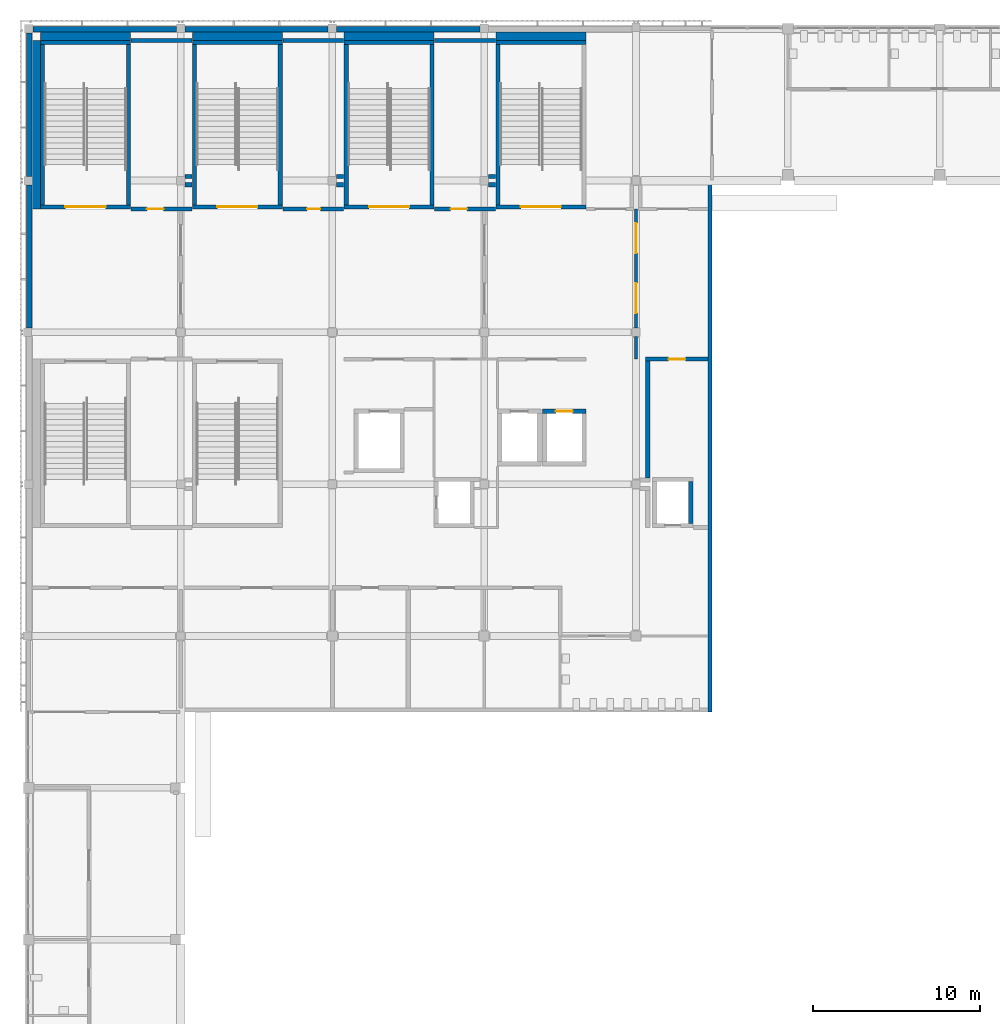
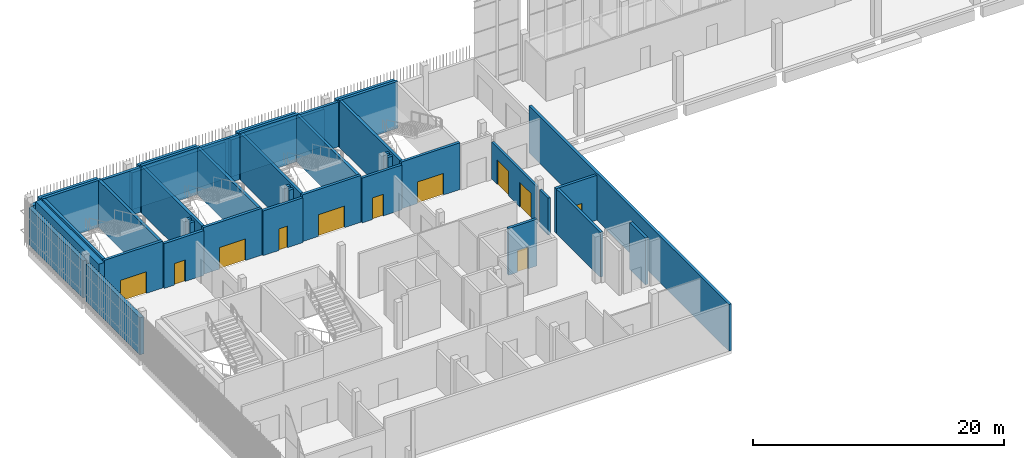
# One storey, part 49 of 91: 44 walls, 11 doors, 11 openings.
"""IFC4 building model written with IfcOpenShell, lengths in metres."""

from ifc_helpers import new_model, si_unit, direction, frame, frame_2d, origin, place, context, subcontext, project, spatial, rectangle, extrude, material, layer, layer_set, type_object, element, fill, save


model = new_model("IFC4")

# Units and contexts
model_context = context("Model", 3, precision=1e-05, world=origin(), true_north=direction((0.0, 1.0)))
body_context = subcontext(model_context, "Body", "Model", "MODEL_VIEW")
ifc_project = project(units=[si_unit("LENGTHUNIT", "METRE"), si_unit("AREAUNIT", "SQUARE_METRE"), si_unit("VOLUMEUNIT", "CUBIC_METRE"), si_unit("PLANEANGLEUNIT", "RADIAN"), si_unit("MASSUNIT", "GRAM", prefix="KILO")], contexts=[model_context])

# Site, building, storey
site_placement = place(None, origin())
site = spatial("IfcSite", under=ifc_project, at=site_placement, CompositionType="ELEMENT")
building_placement = place(site_placement, origin())
building = spatial("IfcBuilding", under=site, at=building_placement, Name="Shirokan Park Arena", CompositionType="ELEMENT")
storey_placement = place(building_placement, frame((0.0, 0.0, 24.570068359375)))
storey = spatial("IfcBuildingStorey", under=building, at=storey_placement, Name="L05", CompositionType="ELEMENT", Elevation=24.570068359375)

# Wall, opening, door
ifc_material_1 = material(Name="Plaster")
ifc_layer_1 = layer(ifc_material_1, 0.014892578125, Name="Plaster")
ifc_material_2 = material(Name="Concrete blockwork", Category="masonry")
ifc_layer_2 = layer(ifc_material_2, 0.219970703125, Name="Concrete blockwork 220")
ifc_layer_3 = layer(ifc_material_1, 0.014892578125, Name="Plaster")
ifc_layer_set_1 = layer_set([ifc_layer_1, ifc_layer_2, ifc_layer_3], Name="Plaster + Concrete blockwork 220")
wall_type_1 = type_object("IfcWallType", Name="Compartment wall 250", PredefinedType="SOLIDWALL", material=ifc_layer_set_1)
wall_1_placement = place(storey_placement, frame((6.1298828125, 98.39990234375, 0.0), z_axis=(0.0, 0.0, 1.0), x_axis=(1.0, 0.0, 0.0)))
wall_1 = element("IfcWall", 1, at=wall_1_placement, inside=storey, type_object=wall_type_1, Name="Compartment wall 250 L05", PredefinedType="SOLIDWALL", context=body_context, shape_type="SweptSolid", body=[
    extrude(rectangle(XDim=3.64013671875, YDim=0.25, at=frame_2d((1.820068359375, 0.0))), origin(), (0.0, 0.0, 1.0), 4.349853515625),
])
opening_1_placement = place(wall_1_placement, frame((0.949951171875, 0.0, 0.0)))
opening_1 = element("IfcOpeningElement", 2, at=opening_1_placement, cuts=wall_1, Name="Opening D-5036", PredefinedType="OPENING", context=body_context, shape_type="SweptSolid", body=[
    extrude(rectangle(XDim=1.0, YDim=2.10009765625, at=frame_2d((0.5, 1.050048828125))), frame((0.0, 0.135009765625, 0.0), z_axis=(0.0, -1.0, 0.0), x_axis=(1.0, 0.0, 0.0)), (0.0, 0.0, 1.0), 0.27001953125),
])
ifc_material_3 = material(Name="Timber door set, fire resisting", Category="wood")
door_type_1 = type_object("IfcDoorType", Name="Door 1000 x 2100", OperationType="SINGLE_SWING_LEFT", PredefinedType="DOOR", material=ifc_material_3)
door_1_placement = place(opening_1_placement, origin())
door_1 = element("IfcDoor", 3, at=door_1_placement, inside=storey, type_object=door_type_1, Name="Door to Refuse Room 5.40 D-5036", OperationType="SINGLE_SWING_RIGHT", OverallHeight=2.10009765625, OverallWidth=1.0, PredefinedType="DOOR", context=body_context, shape_type="SweptSolid", body=[
    extrude(rectangle(XDim=1.0, YDim=2.10009765625, at=frame_2d((0.5, 1.050048828125))), frame((0.0, 0.02490234375, 0.0), z_axis=(0.0, -1.0, 0.0), x_axis=(1.0, 0.0, 0.0)), (0.0, 0.0, 1.0), 0.050048828125),
])
fill(opening_1, door_1)

# Walls
wall_2_placement = place(storey_placement, frame((6.1298828125, 108.5, 0.0), z_axis=(0.0, 0.0, 1.0), x_axis=(1.0, 0.0, 0.0)))
element("IfcWall", 4, at=wall_2_placement, inside=storey, type_object=wall_type_1, Name="Compartment wall 250 L05", PredefinedType="SOLIDWALL", context=body_context, shape_type="SweptSolid", body=[
    extrude(rectangle(XDim=3.64013671875, YDim=0.25, at=frame_2d((1.820068359375, 0.0))), origin(), (0.0, 0.0, 1.0), 4.349853515625),
])
for number, where, z_axis, x_axis, name in (
    (5, (9.35009765625, 99.85009765625, 0.0), (0.0, 0.0, 1.0), (1.0, 0.0, 0.0), "Compartment wall 250 L05"),
    (6, (9.77001953125, 100.35009765625, 0.0), (0.0, 0.0, 1.0), (-1.0, 0.0, 0.0), "Compartment wall 250 L05"),
):
    element("IfcWall", number, at=place(storey_placement, frame(where, z_axis=z_axis, x_axis=x_axis)), inside=storey, type_object=wall_type_1, Name=name, PredefinedType="SOLIDWALL", context=body_context, shape_type="SweptSolid", body=[
        extrude(rectangle(XDim=0.419921875, YDim=0.25, at=frame_2d((0.2099609375, 0.0))), origin(), (0.0, 0.0, 1.0), 4.349853515625),
    ])

# Wall, opening, door
wall_3_placement = place(storey_placement, frame((15.22998046875, 98.39990234375, 0.0), z_axis=(0.0, 0.0, 1.0), x_axis=(1.0, 0.0, 0.0)))
wall_3 = element("IfcWall", 7, at=wall_3_placement, inside=storey, type_object=wall_type_1, Name="Compartment wall 250 L05", PredefinedType="SOLIDWALL", context=body_context, shape_type="SweptSolid", body=[
    extrude(rectangle(XDim=3.64013671875, YDim=0.25, at=frame_2d((1.820068359375, 0.0))), origin(), (0.0, 0.0, 1.0), 4.349853515625),
])
opening_2_placement = place(wall_3_placement, frame((1.449951171875, 0.0, 0.0)))
opening_2 = element("IfcOpeningElement", 8, at=opening_2_placement, cuts=wall_3, Name="Opening D-5037", PredefinedType="OPENING", context=body_context, shape_type="SweptSolid", body=[
    extrude(rectangle(XDim=0.800048828125, YDim=2.10009765625, at=frame_2d((0.39990234375, 1.050048828125))), frame((0.0, 0.135009765625, 0.0), z_axis=(0.0, -1.0, 0.0), x_axis=(1.0, 0.0, 0.0)), (0.0, 0.0, 1.0), 0.27001953125),
])
door_type_2 = type_object("IfcDoorType", Name="Cleaner store door 800 x 2100", OperationType="SINGLE_SWING_LEFT", PredefinedType="DOOR", material=ifc_material_3)
door_2_placement = place(opening_2_placement, origin())
door_2 = element("IfcDoor", 9, at=door_2_placement, inside=storey, type_object=door_type_2, Name="Door to Cleaner's Store 5.41 D-5037", OperationType="SINGLE_SWING_LEFT", OverallHeight=2.10009765625, OverallWidth=0.800048828125, PredefinedType="DOOR", context=body_context, shape_type="SweptSolid", body=[
    extrude(rectangle(XDim=0.800048828125, YDim=2.10009765625, at=frame_2d((0.39990234375, 1.050048828125))), frame((0.0, 0.02490234375, 0.0), z_axis=(0.0, -1.0, 0.0), x_axis=(1.0, 0.0, 0.0)), (0.0, 0.0, 1.0), 0.050048828125),
])
fill(opening_2, door_2)

# Walls
wall_4_placement = place(storey_placement, frame((15.22998046875, 108.5, 0.0), z_axis=(0.0, 0.0, 1.0), x_axis=(1.0, 0.0, 0.0)))
element("IfcWall", 10, at=wall_4_placement, inside=storey, type_object=wall_type_1, Name="Compartment wall 250 L05", PredefinedType="SOLIDWALL", context=body_context, shape_type="SweptSolid", body=[
    extrude(rectangle(XDim=3.64013671875, YDim=0.25, at=frame_2d((1.820068359375, 0.0))), origin(), (0.0, 0.0, 1.0), 4.349853515625),
])
for number, where, z_axis, x_axis, name in (
    (11, (18.449951171875, 99.85009765625, 0.0), (0.0, 0.0, 1.0), (1.0, 0.0, 0.0), "Compartment wall 250 L05"),
    (12, (18.8701171875, 100.35009765625, 0.0), (0.0, 0.0, 1.0), (-1.0, 0.0, 0.0), "Compartment wall 250 L05"),
):
    element("IfcWall", number, at=place(storey_placement, frame(where, z_axis=z_axis, x_axis=x_axis)), inside=storey, type_object=wall_type_1, Name=name, PredefinedType="SOLIDWALL", context=body_context, shape_type="SweptSolid", body=[
        extrude(rectangle(XDim=0.420166015625, YDim=0.25, at=frame_2d((0.2099609375, 0.0))), origin(), (0.0, 0.0, 1.0), 4.349853515625),
    ])

# Wall, opening, door
wall_5_placement = place(storey_placement, frame((24.330078125, 98.39990234375, 0.0), z_axis=(0.0, 0.0, 1.0), x_axis=(1.0, 0.0, 0.0)))
wall_5 = element("IfcWall", 13, at=wall_5_placement, inside=storey, type_object=wall_type_1, Name="Compartment wall 250 L05", PredefinedType="SOLIDWALL", context=body_context, shape_type="SweptSolid", body=[
    extrude(rectangle(XDim=3.639892578125, YDim=0.25, at=frame_2d((1.81982421875, 0.0))), origin(), (0.0, 0.0, 1.0), 4.349853515625),
])
opening_3_placement = place(wall_5_placement, frame((0.949951171875, 0.0, 0.0)))
opening_3 = element("IfcOpeningElement", 14, at=opening_3_placement, cuts=wall_5, Name="Opening D-5038", PredefinedType="OPENING", context=body_context, shape_type="SweptSolid", body=[
    extrude(rectangle(XDim=1.0, YDim=2.10009765625, at=frame_2d((0.5, 1.050048828125))), frame((0.0, 0.135009765625, 0.0), z_axis=(0.0, -1.0, 0.0), x_axis=(1.0, 0.0, 0.0)), (0.0, 0.0, 1.0), 0.27001953125),
])
door_3_placement = place(opening_3_placement, origin())
door_3 = element("IfcDoor", 15, at=door_3_placement, inside=storey, type_object=door_type_1, Name="Door to Kiosk Store 5.42 D-5038", OperationType="SINGLE_SWING_RIGHT", OverallHeight=2.10009765625, OverallWidth=1.0, PredefinedType="DOOR", context=body_context, shape_type="SweptSolid", body=[
    extrude(rectangle(XDim=1.0, YDim=2.10009765625, at=frame_2d((0.5, 1.050048828125))), frame((0.0, 0.02490234375, 0.0), z_axis=(0.0, -1.0, 0.0), x_axis=(1.0, 0.0, 0.0)), (0.0, 0.0, 1.0), 0.050048828125),
])
fill(opening_3, door_3)

# Walls
wall_6_placement = place(storey_placement, frame((24.330078125, 108.5, 0.0), z_axis=(0.0, 0.0, 1.0), x_axis=(1.0, 0.0, 0.0)))
element("IfcWall", 16, at=wall_6_placement, inside=storey, type_object=wall_type_1, Name="Compartment wall 250 L05", PredefinedType="SOLIDWALL", context=body_context, shape_type="SweptSolid", body=[
    extrude(rectangle(XDim=3.639892578125, YDim=0.25, at=frame_2d((1.81982421875, 0.0))), origin(), (0.0, 0.0, 1.0), 4.349853515625),
])
for number, where, z_axis, x_axis, name in (
    (17, (27.550048828125, 99.85009765625, 0.0), (0.0, 0.0, 1.0), (1.0, 0.0, 0.0), "Compartment wall 250 L05"),
    (18, (27.969970703125, 100.35009765625, 0.0), (0.0, 0.0, 1.0), (-1.0, 0.0, 0.0), "Compartment wall 250 L05"),
):
    element("IfcWall", number, at=place(storey_placement, frame(where, z_axis=z_axis, x_axis=x_axis)), inside=storey, type_object=wall_type_1, Name=name, PredefinedType="SOLIDWALL", context=body_context, shape_type="SweptSolid", body=[
        extrude(rectangle(XDim=0.419921875, YDim=0.25, at=frame_2d((0.2099609375, 0.0))), origin(), (0.0, 0.0, 1.0), 4.349853515625),
    ])
wall_7_placement = place(storey_placement, frame((37.10009765625, 89.27490234375, 0.0), z_axis=(0.0, 0.0, 1.0), x_axis=(0.0, -1.0, 0.0)))
element("IfcWall", 19, at=wall_7_placement, inside=storey, type_object=wall_type_1, Name="Compartment wall 250 L05", PredefinedType="SOLIDWALL", context=body_context, shape_type="SweptSolid", body=[
    extrude(rectangle(XDim=7.0, YDim=0.25, at=frame_2d((3.5, 0.0))), origin(), (0.0, 0.0, 1.0), 4.349853515625),
])

# Wall, opening, door
wall_8_placement = place(storey_placement, frame((40.699951171875, 89.39990234375, 0.0), z_axis=(0.0, 0.0, 1.0), x_axis=(-1.0, 0.0, 0.0)))
wall_8 = element("IfcWall", 20, at=wall_8_placement, inside=storey, type_object=wall_type_1, Name="Compartment wall 250 L05", PredefinedType="SOLIDWALL", context=body_context, shape_type="SweptSolid", body=[
    extrude(rectangle(XDim=3.724853515625, YDim=0.25, at=frame_2d((1.8623046875, 0.0))), origin(), (0.0, 0.0, 1.0), 4.349853515625),
])
opening_4_placement = place(wall_8_placement, frame((1.35009765625, 0.0, 0.0)))
opening_4 = element("IfcOpeningElement", 21, at=opening_4_placement, cuts=wall_8, Name="Opening D-5035", PredefinedType="OPENING", context=body_context, shape_type="SweptSolid", body=[
    extrude(rectangle(XDim=1.0, YDim=2.10009765625, at=frame_2d((0.5, 1.050048828125))), frame((0.0, 0.135009765625, 0.0), z_axis=(0.0, -1.0, 0.0), x_axis=(1.0, 0.0, 0.0)), (0.0, 0.0, 1.0), 0.27001953125),
])
door_4_placement = place(opening_4_placement, origin())
door_4 = element("IfcDoor", 22, at=door_4_placement, inside=storey, type_object=door_type_1, Name="Door to Refuse Room 5.49 D-5035", OperationType="SINGLE_SWING_RIGHT", OverallHeight=2.10009765625, OverallWidth=1.0, PredefinedType="DOOR", context=body_context, shape_type="SweptSolid", body=[
    extrude(rectangle(XDim=1.0, YDim=2.10009765625, at=frame_2d((0.5, 1.050048828125))), frame((0.0, 0.02490234375, 0.0), z_axis=(0.0, -1.0, 0.0), x_axis=(1.0, 0.0, 0.0)), (0.0, 0.0, 1.0), 0.050048828125),
])
fill(opening_4, door_4)

# Wall
ifc_material_4 = material(Name="Gypsum board")
ifc_layer_4 = layer(ifc_material_4, 0.02490234375, Name="Gypsum board, two layers")
ifc_material_5 = material(Name="Mineral wool insulation")
ifc_layer_5 = layer(ifc_material_5, 0.14990234375, Name="Mineral wool insulation")
ifc_layer_6 = layer(ifc_material_4, 0.02490234375, Name="Gypsum board, two layers")
ifc_layer_set_2 = layer_set([ifc_layer_4, ifc_layer_5, ifc_layer_6], Name="Gypsum board, two layers + Mineral wool insulation")
wall_type_2 = type_object("IfcWallType", Name="Corridor wall 200", PredefinedType="PARTITIONING", material=ifc_layer_set_2)
wall_9_placement = place(storey_placement, frame((36.39990234375, 90.75, 0.0), z_axis=(0.0, 0.0, 1.0), x_axis=(0.0, -1.0, 0.0)))
element("IfcWall", 23, at=wall_9_placement, inside=storey, type_object=wall_type_2, Name="Corridor wall 200 L05", PredefinedType="PARTITIONING", context=body_context, shape_type="SweptSolid", body=[
    extrude(rectangle(XDim=1.35009765625, YDim=0.199951171875, at=frame_2d((0.675048828125, 0.0))), origin(), (0.0, 0.0, 1.0), 3.599853515625),
])

# Wall, openings, doors
wall_10_placement = place(storey_placement, frame((36.39990234375, 98.39990234375, 0.0), z_axis=(0.0, 0.0, 1.0), x_axis=(0.0, -1.0, 0.0)))
wall_10 = element("IfcWall", 24, at=wall_10_placement, inside=storey, type_object=wall_type_2, Name="Corridor wall 200 L05", PredefinedType="PARTITIONING", context=body_context, shape_type="SweptSolid", body=[
    extrude(rectangle(XDim=7.14990234375, YDim=0.199951171875, at=frame_2d((3.574951171875, 0.0))), origin(), (0.0, 0.0, 1.0), 3.599853515625),
])
opening_5_placement = place(wall_10_placement, frame((0.85009765625, 0.0, 0.0)))
opening_5 = element("IfcOpeningElement", 25, at=opening_5_placement, cuts=wall_10, Name="Opening D-5115", PredefinedType="OPENING", context=body_context, shape_type="SweptSolid", body=[
    extrude(rectangle(XDim=1.800048828125, YDim=2.39990234375, at=frame_2d((0.89990234375, 1.199951171875))), frame((0.0, 0.10986328125, 0.0), z_axis=(0.0, -1.0, 0.0), x_axis=(1.0, 0.0, 0.0)), (0.0, 0.0, 1.0), 0.219970703125),
])
opening_6_placement = place(wall_10_placement, frame((4.449951171875, 0.0, 0.0)))
opening_6 = element("IfcOpeningElement", 26, at=opening_6_placement, cuts=wall_10, Name="Opening D-5116", PredefinedType="OPENING", context=body_context, shape_type="SweptSolid", body=[
    extrude(rectangle(XDim=1.800048828125, YDim=2.39990234375, at=frame_2d((0.89990234375, 1.199951171875))), frame((0.0, 0.10986328125, 0.0), z_axis=(0.0, -1.0, 0.0), x_axis=(1.0, 0.0, 0.0)), (0.0, 0.0, 1.0), 0.219970703125),
])
ifc_material_6 = material(Name="Glazed steel door set, fire resisting", Category="steel")
door_type_3 = type_object("IfcDoorType", Name="Lift lobby door 1800 x 2400", OperationType="DOUBLE_DOOR_SINGLE_SWING", PredefinedType="DOOR", material=ifc_material_6)
door_5_placement = place(opening_5_placement, origin())
door_5 = element("IfcDoor", 27, at=door_5_placement, inside=storey, type_object=door_type_3, Name="Door between Kiosk Court 4.5.3 and Staff Lobby 4.5.4 D-5115", OperationType="DOUBLE_DOOR_SINGLE_SWING", OverallHeight=2.39990234375, OverallWidth=1.800048828125, PredefinedType="DOOR", context=body_context, shape_type="SweptSolid", body=[
    extrude(rectangle(XDim=1.800048828125, YDim=2.39990234375, at=frame_2d((0.89990234375, 1.199951171875))), frame((0.0, 0.02490234375, 0.0), z_axis=(0.0, -1.0, 0.0), x_axis=(1.0, 0.0, 0.0)), (0.0, 0.0, 1.0), 0.050048828125),
])
fill(opening_5, door_5)
door_6_placement = place(opening_6_placement, origin())
door_6 = element("IfcDoor", 28, at=door_6_placement, inside=storey, type_object=door_type_3, Name="Door between Kiosk Court 4.5.3 and Staff Lobby 4.5.4 D-5116", OperationType="DOUBLE_DOOR_SINGLE_SWING", OverallHeight=2.39990234375, OverallWidth=1.800048828125, PredefinedType="DOOR", context=body_context, shape_type="SweptSolid", body=[
    extrude(rectangle(XDim=1.800048828125, YDim=2.39990234375, at=frame_2d((0.89990234375, 1.199951171875))), frame((0.0, 0.02490234375, 0.0), z_axis=(0.0, -1.0, 0.0), x_axis=(1.0, 0.0, 0.0)), (0.0, 0.0, 1.0), 0.050048828125),
])
fill(opening_6, door_6)

# Walls
ifc_material_7 = material(Name="Cedar cladding")
ifc_layer_7 = layer(ifc_material_7, 0.030029296875, Name="Cedar cladding")
ifc_layer_8 = layer(ifc_material_5, 0.10009765625, Name="Mineral wool insulation")
ifc_material_8 = material(Name="Concrete C35", Category="concrete")
ifc_layer_9 = layer(ifc_material_8, 0.199951171875, Name="Concrete C35")
ifc_material_9 = material(Name="Gypsum board lining")
ifc_layer_10 = layer(ifc_material_9, 0.02001953125, Name="Gypsum board lining")
ifc_layer_set_3 = layer_set([ifc_layer_7, ifc_layer_8, ifc_layer_9, ifc_layer_10], Name="Cedar cladding + Mineral wool insulation + Concrete C35 + Gypsum board lining")
wall_type_3 = type_object("IfcWallType", Name="Insulated tower wall 350", PredefinedType="SOLIDWALL", material=ifc_layer_set_3)
wall_11_placement = place(storey_placement, frame((27.050048828125, 109.175048828125, 0.0), z_axis=(0.0, 0.0, 1.0), x_axis=(-1.0, 0.0, 0.0)))
element("IfcWall", 29, at=wall_11_placement, inside=storey, type_object=wall_type_3, Name="North facade wall bay 14 L05", PredefinedType="SOLIDWALL", context=body_context, shape_type="SweptSolid", body=[
    extrude(rectangle(XDim=8.60009765625, YDim=0.35009765625, at=frame_2d((4.300048828125, 0.0))), origin(), (0.0, 0.0, 1.0), 3.599853515625),
])
wall_12_placement = place(storey_placement, frame((17.949951171875, 109.175048828125, 0.0), z_axis=(0.0, 0.0, 1.0), x_axis=(-1.0, 0.0, 0.0)))
element("IfcWall", 30, at=wall_12_placement, inside=storey, type_object=wall_type_3, Name="North facade wall bay 15 L05", PredefinedType="SOLIDWALL", context=body_context, shape_type="SweptSolid", body=[
    extrude(rectangle(XDim=8.599853515625, YDim=0.35009765625, at=frame_2d((4.2998046875, 0.0))), origin(), (0.0, 0.0, 1.0), 3.599853515625),
])
wall_13_placement = place(storey_placement, frame((8.85009765625, 109.175048828125, 0.0), z_axis=(0.0, 0.0, 1.0), x_axis=(-1.0, 0.0, 0.0)))
element("IfcWall", 31, at=wall_13_placement, inside=storey, type_object=wall_type_3, Name="North facade wall bay 16 L05", PredefinedType="SOLIDWALL", context=body_context, shape_type="SweptSolid", body=[
    extrude(rectangle(XDim=8.60009765625, YDim=0.35009765625, at=frame_2d((4.300048828125, 0.0))), origin(), (0.0, 0.0, 1.0), 3.599853515625),
])
wall_14_placement = place(storey_placement, frame((0.02490234375, 108.949951171875, 0.0), z_axis=(0.0, 0.0, 1.0), x_axis=(0.0, -1.0, 0.0)))
element("IfcWall", 32, at=wall_14_placement, inside=storey, type_object=wall_type_3, Name="West facade wall bay 1 L05", PredefinedType="SOLIDWALL", context=body_context, shape_type="SweptSolid", body=[
    extrude(rectangle(XDim=8.599853515625, YDim=0.35009765625, at=frame_2d((4.2998046875, 0.0))), origin(), (0.0, 0.0, 1.0), 3.599853515625),
])
wall_15_placement = place(storey_placement, frame((0.02490234375, 99.85009765625, 0.0), z_axis=(0.0, 0.0, 1.0), x_axis=(0.0, -1.0, 0.0)))
element("IfcWall", 33, at=wall_15_placement, inside=storey, type_object=wall_type_3, Name="West facade wall bay 2 L05", PredefinedType="SOLIDWALL", context=body_context, shape_type="SweptSolid", body=[
    extrude(rectangle(XDim=8.60009765625, YDim=0.35009765625, at=frame_2d((4.300048828125, 0.0))), origin(), (0.0, 0.0, 1.0), 3.599853515625),
])
ifc_layer_11 = layer(ifc_material_8, 0.25)
ifc_layer_set_4 = layer_set([ifc_layer_11], Name="Concrete C35 250 mm")
wall_type_4 = type_object("IfcWallType", Name="RC flank wall 250", PredefinedType="SHEAR", material=ifc_layer_set_4)
wall_16_placement = place(storey_placement, frame((40.824951171875, 68.25, 0.0), z_axis=(0.0, 0.0, 1.0), x_axis=(0.0, 1.0, 0.0)))
element("IfcWall", 34, at=wall_16_placement, inside=storey, type_object=wall_type_4, Name="Flank wall N1 L05", PredefinedType="SHEAR", context=body_context, shape_type="SweptSolid", body=[
    extrude(rectangle(XDim=31.85009765625, YDim=0.25, at=frame_2d((15.925048828125, 0.0))), origin(), (0.0, 0.0, 1.0), 4.550048828125),
])

# Wall, opening, door
ifc_material_10 = material(Name="Concrete C40/50", Category="concrete")
ifc_layer_12 = layer(ifc_material_10, 0.25)
ifc_layer_set_5 = layer_set([ifc_layer_12], Name="Concrete C40/50 250 mm")
wall_type_5 = type_object("IfcWallType", Name="RC shear wall 250", PredefinedType="SHEAR", material=ifc_layer_set_5)
wall_17_placement = place(storey_placement, frame((33.39990234375, 86.27490234375, 0.0), z_axis=(0.0, 0.0, 1.0), x_axis=(-1.0, 0.0, 0.0)))
wall_17 = element("IfcWall", 35, at=wall_17_placement, inside=storey, type_object=wall_type_5, Name="Shaft wall Passenger Lift 4.2 N L05", PredefinedType="SHEAR", context=body_context, shape_type="SweptSolid", body=[
    extrude(rectangle(XDim=2.599853515625, YDim=0.25, at=frame_2d((1.2998046875, 0.0))), origin(), (0.0, 0.0, 1.0), 4.550048828125),
])
opening_7_placement = place(wall_17_placement, frame((0.800048828125, 0.0, 0.0)))
opening_7 = element("IfcOpeningElement", 36, at=opening_7_placement, cuts=wall_17, Name="Opening LD48", PredefinedType="OPENING", context=body_context, shape_type="SweptSolid", body=[
    extrude(rectangle(XDim=1.0, YDim=2.10009765625, at=frame_2d((0.5, 1.050048828125))), frame((0.0, 0.135009765625, 0.0), z_axis=(0.0, -1.0, 0.0), x_axis=(1.0, 0.0, 0.0)), (0.0, 0.0, 1.0), 0.27001953125),
])
ifc_material_11 = material(Name="Stainless steel", Category="steel")
door_type_4 = type_object("IfcDoorType", Name="Lift landing door 1000x2100", OperationType="DOUBLE_DOOR_SLIDING", PredefinedType="DOOR", material=ifc_material_11)
door_7_placement = place(opening_7_placement, origin())
door_7 = element("IfcDoor", 37, at=door_7_placement, inside=storey, type_object=door_type_4, Name="Lift landing door Passenger Lift 4.2 L05", OperationType="DOUBLE_DOOR_SLIDING", OverallHeight=2.10009765625, OverallWidth=1.0, PredefinedType="DOOR", context=body_context, shape_type="SweptSolid", body=[
    extrude(rectangle(XDim=1.0, YDim=2.10009765625, at=frame_2d((0.5, 1.050048828125))), frame((0.0, 0.02490234375, 0.0), z_axis=(0.0, -1.0, 0.0), x_axis=(1.0, 0.0, 0.0)), (0.0, 0.0, 1.0), 0.050048828125),
])
fill(opening_7, door_7)

# Wall
wall_18_placement = place(storey_placement, frame((39.675048828125, 82.050048828125, 0.0), z_axis=(0.0, 0.0, 1.0), x_axis=(0.0, -1.0, 0.0)))
element("IfcWall", 38, at=wall_18_placement, inside=storey, type_object=wall_type_5, Name="Shaft wall Services Riser 4.1 E L05", PredefinedType="SHEAR", context=body_context, shape_type="SweptSolid", body=[
    extrude(rectangle(XDim=2.5, YDim=0.25, at=frame_2d((1.25, 0.0))), origin(), (0.0, 0.0, 1.0), 4.550048828125),
])

# Wall, opening, door
wall_19_placement = place(storey_placement, frame((6.10009765625, 98.52490234375, 0.0), z_axis=(0.0, 0.0, 1.0), x_axis=(-1.0, 0.0, 0.0)))
wall_19 = element("IfcWall", 39, at=wall_19_placement, inside=storey, type_object=wall_type_5, Name="Shaft wall Exit Stair 4.A S L05", PredefinedType="SHEAR", context=body_context, shape_type="SweptSolid", body=[
    extrude(rectangle(XDim=5.400146484375, YDim=0.25, at=frame_2d((2.7001953125, 0.0))), origin(), (0.0, 0.0, 1.0), 4.550048828125),
])
opening_8_placement = place(wall_19_placement, frame((1.5, 0.0, 0.0)))
opening_8 = element("IfcOpeningElement", 40, at=opening_8_placement, cuts=wall_19, Name="Opening D-5141", PredefinedType="OPENING", context=body_context, shape_type="SweptSolid", body=[
    extrude(rectangle(XDim=2.39990234375, YDim=2.10009765625, at=frame_2d((1.199951171875, 1.050048828125))), frame((0.0, 0.135009765625, 0.0), z_axis=(0.0, -1.0, 0.0), x_axis=(1.0, 0.0, 0.0)), (0.0, 0.0, 1.0), 0.27001953125),
])
ifc_material_12 = material(Name="Steel door set, fire resisting", Category="steel")
door_type_5 = type_object("IfcDoorType", Name="Stair door 2400 x 2100", OperationType="DOUBLE_DOOR_SINGLE_SWING", PredefinedType="DOOR", material=ifc_material_12)
door_8_placement = place(opening_8_placement, origin())
door_8 = element("IfcDoor", 41, at=door_8_placement, inside=storey, type_object=door_type_5, Name="Stair door Exit Stair 4.A D-5141", OperationType="DOUBLE_DOOR_SINGLE_SWING", OverallHeight=2.10009765625, OverallWidth=2.39990234375, PredefinedType="DOOR", context=body_context, shape_type="SweptSolid", body=[
    extrude(rectangle(XDim=2.39990234375, YDim=2.10009765625, at=frame_2d((1.199951171875, 1.050048828125))), frame((0.0, 0.02490234375, 0.0), z_axis=(0.0, -1.0, 0.0), x_axis=(1.0, 0.0, 0.0)), (0.0, 0.0, 1.0), 0.050048828125),
])
fill(opening_8, door_8)

# Walls
wall_20_placement = place(storey_placement, frame((6.10009765625, 108.375, 0.0), z_axis=(0.0, 0.0, 1.0), x_axis=(-1.0, 0.0, 0.0)))
element("IfcWall", 42, at=wall_20_placement, inside=storey, type_object=wall_type_5, Name="Shaft wall Exit Stair 4.A N L05", PredefinedType="SHEAR", context=body_context, shape_type="SweptSolid", body=[
    extrude(rectangle(XDim=5.400146484375, YDim=0.25, at=frame_2d((2.7001953125, 0.0))), origin(), (0.0, 0.0, 1.0), 4.550048828125),
])
for number, where, z_axis, x_axis, name in (
    (43, (0.824951171875, 108.25, 0.0), (0.0, 0.0, 1.0), (0.0, -1.0, 0.0), "Shaft wall Exit Stair 4.A W L05"),
    (44, (5.97509765625, 108.25, 0.0), (0.0, 0.0, 1.0), (0.0, -1.0, 0.0), "Shaft wall Exit Stair 4.A E L05"),
):
    element("IfcWall", number, at=place(storey_placement, frame(where, z_axis=z_axis, x_axis=x_axis)), inside=storey, type_object=wall_type_5, Name=name, PredefinedType="SHEAR", context=body_context, shape_type="SweptSolid", body=[
        extrude(rectangle(XDim=9.60009765625, YDim=0.25, at=frame_2d((4.800048828125, 0.0))), origin(), (0.0, 0.0, 1.0), 4.550048828125),
    ])

# Wall, opening, door
wall_21_placement = place(storey_placement, frame((15.199951171875, 98.52490234375, 0.0), z_axis=(0.0, 0.0, 1.0), x_axis=(-1.0, 0.0, 0.0)))
wall_21 = element("IfcWall", 45, at=wall_21_placement, inside=storey, type_object=wall_type_5, Name="Shaft wall Exit Stair 4.B S L05", PredefinedType="SHEAR", context=body_context, shape_type="SweptSolid", body=[
    extrude(rectangle(XDim=5.39990234375, YDim=0.25, at=frame_2d((2.699951171875, 0.0))), origin(), (0.0, 0.0, 1.0), 4.550048828125),
])
opening_9_placement = place(wall_21_placement, frame((1.5, 0.0, 0.0)))
opening_9 = element("IfcOpeningElement", 46, at=opening_9_placement, cuts=wall_21, Name="Opening D-5142", PredefinedType="OPENING", context=body_context, shape_type="SweptSolid", body=[
    extrude(rectangle(XDim=2.39990234375, YDim=2.10009765625, at=frame_2d((1.199951171875, 1.050048828125))), frame((0.0, 0.135009765625, 0.0), z_axis=(0.0, -1.0, 0.0), x_axis=(1.0, 0.0, 0.0)), (0.0, 0.0, 1.0), 0.27001953125),
])
door_9_placement = place(opening_9_placement, origin())
door_9 = element("IfcDoor", 47, at=door_9_placement, inside=storey, type_object=door_type_5, Name="Stair door Exit Stair 4.B D-5142", OperationType="DOUBLE_DOOR_SINGLE_SWING", OverallHeight=2.10009765625, OverallWidth=2.39990234375, PredefinedType="DOOR", context=body_context, shape_type="SweptSolid", body=[
    extrude(rectangle(XDim=2.39990234375, YDim=2.10009765625, at=frame_2d((1.199951171875, 1.050048828125))), frame((0.0, 0.02490234375, 0.0), z_axis=(0.0, -1.0, 0.0), x_axis=(1.0, 0.0, 0.0)), (0.0, 0.0, 1.0), 0.050048828125),
])
fill(opening_9, door_9)

# Walls
wall_22_placement = place(storey_placement, frame((15.199951171875, 108.375, 0.0), z_axis=(0.0, 0.0, 1.0), x_axis=(-1.0, 0.0, 0.0)))
element("IfcWall", 48, at=wall_22_placement, inside=storey, type_object=wall_type_5, Name="Shaft wall Exit Stair 4.B N L05", PredefinedType="SHEAR", context=body_context, shape_type="SweptSolid", body=[
    extrude(rectangle(XDim=5.39990234375, YDim=0.25, at=frame_2d((2.699951171875, 0.0))), origin(), (0.0, 0.0, 1.0), 4.550048828125),
])
for number, where, z_axis, x_axis, name in (
    (49, (9.925048828125, 108.25, 0.0), (0.0, 0.0, 1.0), (0.0, -1.0, 0.0), "Shaft wall Exit Stair 4.B W L05"),
    (50, (15.074951171875, 108.25, 0.0), (0.0, 0.0, 1.0), (0.0, -1.0, 0.0), "Shaft wall Exit Stair 4.B E L05"),
):
    element("IfcWall", number, at=place(storey_placement, frame(where, z_axis=z_axis, x_axis=x_axis)), inside=storey, type_object=wall_type_5, Name=name, PredefinedType="SHEAR", context=body_context, shape_type="SweptSolid", body=[
        extrude(rectangle(XDim=9.60009765625, YDim=0.25, at=frame_2d((4.800048828125, 0.0))), origin(), (0.0, 0.0, 1.0), 4.550048828125),
    ])

# Wall, opening, door
wall_23_placement = place(storey_placement, frame((24.300048828125, 98.52490234375, 0.0), z_axis=(0.0, 0.0, 1.0), x_axis=(-1.0, 0.0, 0.0)))
wall_23 = element("IfcWall", 51, at=wall_23_placement, inside=storey, type_object=wall_type_5, Name="Shaft wall Exit Stair 4.C S L05", PredefinedType="SHEAR", context=body_context, shape_type="SweptSolid", body=[
    extrude(rectangle(XDim=5.400146484375, YDim=0.25, at=frame_2d((2.7001953125, 0.0))), origin(), (0.0, 0.0, 1.0), 4.550048828125),
])
opening_10_placement = place(wall_23_placement, frame((1.5, 0.0, 0.0)))
opening_10 = element("IfcOpeningElement", 52, at=opening_10_placement, cuts=wall_23, Name="Opening D-5143", PredefinedType="OPENING", context=body_context, shape_type="SweptSolid", body=[
    extrude(rectangle(XDim=2.39990234375, YDim=2.10009765625, at=frame_2d((1.199951171875, 1.050048828125))), frame((0.0, 0.135009765625, 0.0), z_axis=(0.0, -1.0, 0.0), x_axis=(1.0, 0.0, 0.0)), (0.0, 0.0, 1.0), 0.27001953125),
])
door_10_placement = place(opening_10_placement, origin())
door_10 = element("IfcDoor", 53, at=door_10_placement, inside=storey, type_object=door_type_5, Name="Stair door Exit Stair 4.C D-5143", OperationType="DOUBLE_DOOR_SINGLE_SWING", OverallHeight=2.10009765625, OverallWidth=2.39990234375, PredefinedType="DOOR", context=body_context, shape_type="SweptSolid", body=[
    extrude(rectangle(XDim=2.39990234375, YDim=2.10009765625, at=frame_2d((1.199951171875, 1.050048828125))), frame((0.0, 0.02490234375, 0.0), z_axis=(0.0, -1.0, 0.0), x_axis=(1.0, 0.0, 0.0)), (0.0, 0.0, 1.0), 0.050048828125),
])
fill(opening_10, door_10)

# Walls
wall_24_placement = place(storey_placement, frame((24.300048828125, 108.375, 0.0), z_axis=(0.0, 0.0, 1.0), x_axis=(-1.0, 0.0, 0.0)))
element("IfcWall", 54, at=wall_24_placement, inside=storey, type_object=wall_type_5, Name="Shaft wall Exit Stair 4.C N L05", PredefinedType="SHEAR", context=body_context, shape_type="SweptSolid", body=[
    extrude(rectangle(XDim=5.400146484375, YDim=0.25, at=frame_2d((2.7001953125, 0.0))), origin(), (0.0, 0.0, 1.0), 4.550048828125),
])
for number, where, z_axis, x_axis, name in (
    (55, (19.02490234375, 108.25, 0.0), (0.0, 0.0, 1.0), (0.0, -1.0, 0.0), "Shaft wall Exit Stair 4.C W L05"),
    (56, (24.175048828125, 108.25, 0.0), (0.0, 0.0, 1.0), (0.0, -1.0, 0.0), "Shaft wall Exit Stair 4.C E L05"),
):
    element("IfcWall", number, at=place(storey_placement, frame(where, z_axis=z_axis, x_axis=x_axis)), inside=storey, type_object=wall_type_5, Name=name, PredefinedType="SHEAR", context=body_context, shape_type="SweptSolid", body=[
        extrude(rectangle(XDim=9.60009765625, YDim=0.25, at=frame_2d((4.800048828125, 0.0))), origin(), (0.0, 0.0, 1.0), 4.550048828125),
    ])

# Wall, opening, door
wall_25_placement = place(storey_placement, frame((33.39990234375, 98.52490234375, 0.0), z_axis=(0.0, 0.0, 1.0), x_axis=(-1.0, 0.0, 0.0)))
wall_25 = element("IfcWall", 57, at=wall_25_placement, inside=storey, type_object=wall_type_5, Name="Shaft wall Exit Stair 4.D S L05", PredefinedType="SHEAR", context=body_context, shape_type="SweptSolid", body=[
    extrude(rectangle(XDim=5.39990234375, YDim=0.25, at=frame_2d((2.699951171875, 0.0))), origin(), (0.0, 0.0, 1.0), 4.550048828125),
])
opening_11_placement = place(wall_25_placement, frame((1.5, 0.0, 0.0)))
opening_11 = element("IfcOpeningElement", 58, at=opening_11_placement, cuts=wall_25, Name="Opening D-5144", PredefinedType="OPENING", context=body_context, shape_type="SweptSolid", body=[
    extrude(rectangle(XDim=2.39990234375, YDim=2.10009765625, at=frame_2d((1.199951171875, 1.050048828125))), frame((0.0, 0.135009765625, 0.0), z_axis=(0.0, -1.0, 0.0), x_axis=(1.0, 0.0, 0.0)), (0.0, 0.0, 1.0), 0.27001953125),
])
door_11_placement = place(opening_11_placement, origin())
door_11 = element("IfcDoor", 59, at=door_11_placement, inside=storey, type_object=door_type_5, Name="Stair door Exit Stair 4.D D-5144", OperationType="DOUBLE_DOOR_SINGLE_SWING", OverallHeight=2.10009765625, OverallWidth=2.39990234375, PredefinedType="DOOR", context=body_context, shape_type="SweptSolid", body=[
    extrude(rectangle(XDim=2.39990234375, YDim=2.10009765625, at=frame_2d((1.199951171875, 1.050048828125))), frame((0.0, 0.02490234375, 0.0), z_axis=(0.0, -1.0, 0.0), x_axis=(1.0, 0.0, 0.0)), (0.0, 0.0, 1.0), 0.050048828125),
])
fill(opening_11, door_11)

# Walls
wall_26_placement = place(storey_placement, frame((33.39990234375, 108.375, 0.0), z_axis=(0.0, 0.0, 1.0), x_axis=(-1.0, 0.0, 0.0)))
element("IfcWall", 60, at=wall_26_placement, inside=storey, type_object=wall_type_5, Name="Shaft wall Exit Stair 4.D N L05", PredefinedType="SHEAR", context=body_context, shape_type="SweptSolid", body=[
    extrude(rectangle(XDim=5.39990234375, YDim=0.25, at=frame_2d((2.699951171875, 0.0))), origin(), (0.0, 0.0, 1.0), 4.550048828125),
])
wall_27_placement = place(storey_placement, frame((28.125, 108.25, 0.0), z_axis=(0.0, 0.0, 1.0), x_axis=(0.0, -1.0, 0.0)))
element("IfcWall", 61, at=wall_27_placement, inside=storey, type_object=wall_type_5, Name="Shaft wall Exit Stair 4.D W L05", PredefinedType="SHEAR", context=body_context, shape_type="SweptSolid", body=[
    extrude(rectangle(XDim=9.60009765625, YDim=0.25, at=frame_2d((4.800048828125, 0.0))), origin(), (0.0, 0.0, 1.0), 4.550048828125),
])
ifc_layer_13 = layer(ifc_material_8, 0.5)
ifc_layer_set_6 = layer_set([ifc_layer_13], Name="Concrete C35 500 mm")
wall_type_6 = type_object("IfcWallType", Name="Shaft infill wall 500", PredefinedType="SOLIDWALL", material=ifc_layer_set_6)
wall_28_placement = place(storey_placement, frame((0.699951171875, 108.75, 0.0), z_axis=(0.0, 0.0, 1.0), x_axis=(1.0, 0.0, 0.0)))
element("IfcWall", 62, at=wall_28_placement, inside=storey, type_object=wall_type_6, Name="Shaft infill wall L05", PredefinedType="SOLIDWALL", context=body_context, shape_type="SweptSolid", body=[
    extrude(rectangle(XDim=5.400146484375, YDim=0.5, at=frame_2d((2.7001953125, 0.0))), origin(), (0.0, 0.0, 1.0), 4.349853515625),
])
wall_29_placement = place(storey_placement, frame((0.449951171875, 98.39990234375, 0.0), z_axis=(0.0, 0.0, 1.0), x_axis=(0.0, 1.0, 0.0)))
element("IfcWall", 63, at=wall_29_placement, inside=storey, type_object=wall_type_6, Name="Shaft infill wall L05", PredefinedType="SOLIDWALL", context=body_context, shape_type="SweptSolid", body=[
    extrude(rectangle(XDim=10.10009765625, YDim=0.5, at=frame_2d((5.050048828125, 0.0))), origin(), (0.0, 0.0, 1.0), 4.349853515625),
])
wall_30_placement = place(storey_placement, frame((9.800048828125, 108.75, 0.0), z_axis=(0.0, 0.0, 1.0), x_axis=(1.0, 0.0, 0.0)))
element("IfcWall", 64, at=wall_30_placement, inside=storey, type_object=wall_type_6, Name="Shaft infill wall L05", PredefinedType="SOLIDWALL", context=body_context, shape_type="SweptSolid", body=[
    extrude(rectangle(XDim=5.39990234375, YDim=0.5, at=frame_2d((2.699951171875, 0.0))), origin(), (0.0, 0.0, 1.0), 4.349853515625),
])
wall_31_placement = place(storey_placement, frame((18.89990234375, 108.75, 0.0), z_axis=(0.0, 0.0, 1.0), x_axis=(1.0, 0.0, 0.0)))
element("IfcWall", 65, at=wall_31_placement, inside=storey, type_object=wall_type_6, Name="Shaft infill wall L05", PredefinedType="SOLIDWALL", context=body_context, shape_type="SweptSolid", body=[
    extrude(rectangle(XDim=5.400146484375, YDim=0.5, at=frame_2d((2.7001953125, 0.0))), origin(), (0.0, 0.0, 1.0), 4.349853515625),
])
wall_32_placement = place(storey_placement, frame((28.0, 108.75, 0.0), z_axis=(0.0, 0.0, 1.0), x_axis=(1.0, 0.0, 0.0)))
element("IfcWall", 66, at=wall_32_placement, inside=storey, type_object=wall_type_6, Name="Shaft infill wall L05", PredefinedType="SOLIDWALL", context=body_context, shape_type="SweptSolid", body=[
    extrude(rectangle(XDim=5.39990234375, YDim=0.5, at=frame_2d((2.699951171875, 0.0))), origin(), (0.0, 0.0, 1.0), 4.349853515625),
])

save(model, "model.ifc")
